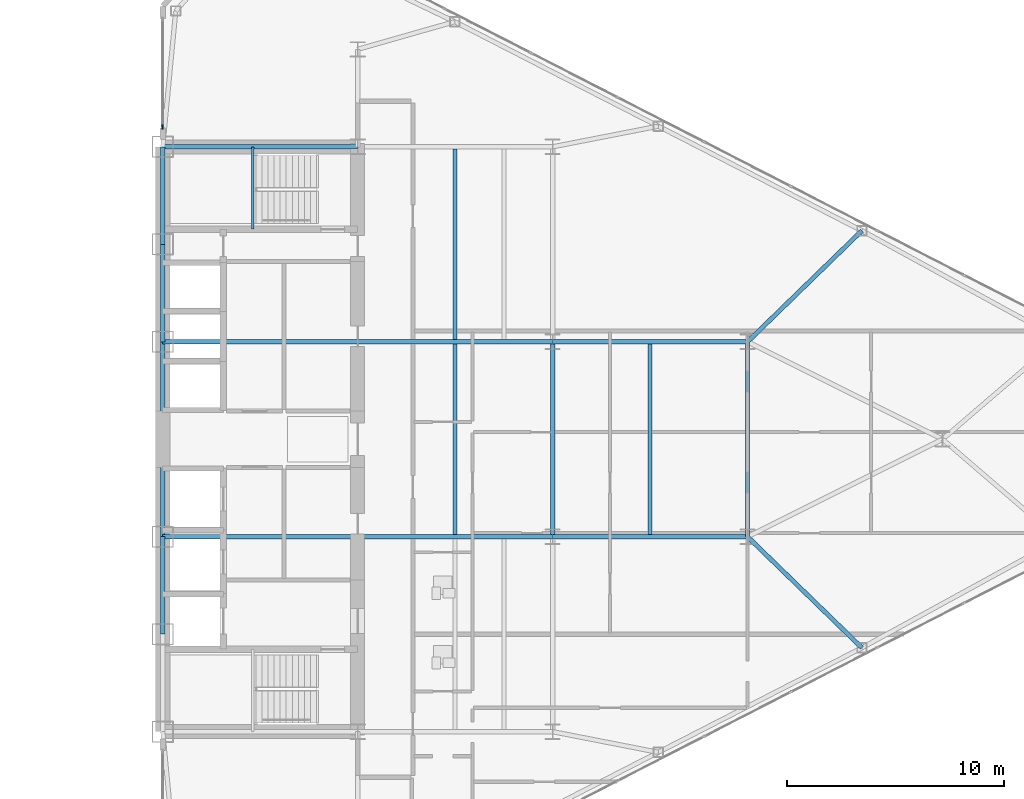
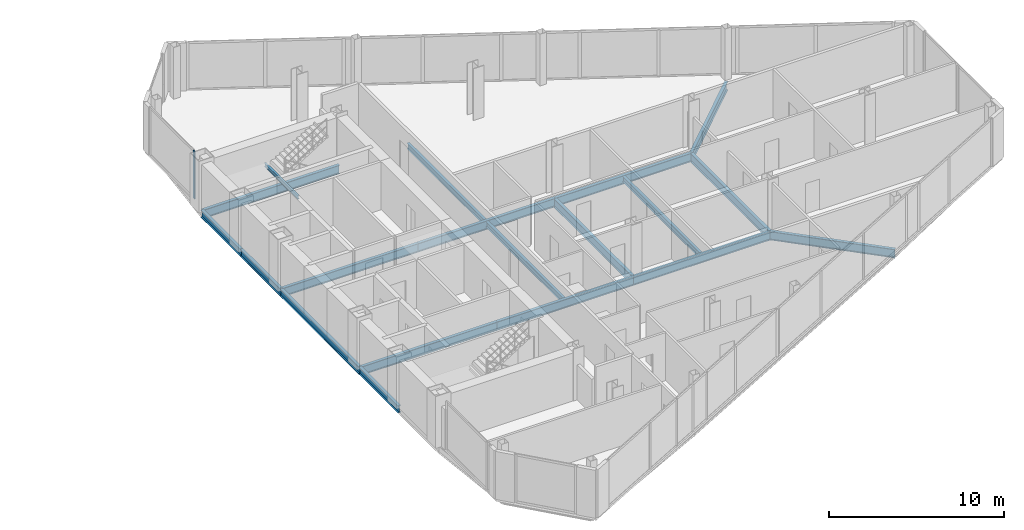
# One storey, part 10 of 23: 19 beams, 1 member, 1 element without a shape of its own.
"""IFC4 building model written with IfcOpenShell, lengths in metres."""

from ifc_helpers import new_model, si_unit, direction, frame, origin, origin_2d, place, context, subcontext, project, spatial, rectangle, i_section, extrude, source, transform, mapped, material, layer, layer_set, material_profile, profile_set, type_object, type_shapes, element, aggregate, save


model = new_model("IFC4")

# Units and contexts
model_context = context("Model", 3, precision=1e-05, world=origin(), true_north=direction((0.0, 1.0)))
body_context = subcontext(model_context, "Body", "Model", "MODEL_VIEW")
ifc_project = project(units=[si_unit("LENGTHUNIT", "METRE"), si_unit("AREAUNIT", "SQUARE_METRE"), si_unit("VOLUMEUNIT", "CUBIC_METRE"), si_unit("PLANEANGLEUNIT", "RADIAN"), si_unit("MASSUNIT", "GRAM", prefix="KILO")], contexts=[model_context])

# Site, building, storey
site_placement = place(None, origin())
site = spatial("IfcSite", under=ifc_project, at=site_placement, CompositionType="ELEMENT")
building_placement = place(site_placement, origin())
building = spatial("IfcBuilding", under=site, at=building_placement, Name="Seokmaru Belvedere", CompositionType="ELEMENT")
storey_placement = place(building_placement, frame((0.0, 0.0, 132.0)))
storey = spatial("IfcBuildingStorey", under=building, at=storey_placement, Name="L35", CompositionType="ELEMENT", Elevation=132.0)

# Beams
ifc_material_1 = material(Name="Steel SM355 (355 MPa)", Category="steel")
ifc_material_profile_1 = material_profile(ifc_material_1, i_section(OverallWidth=0.199951171875, OverallDepth=0.5, WebThickness=0.010009765625, FlangeThickness=0.01611328125, at=origin_2d()), Name="H-500x200x10x16")
ifc_profile_set_1 = profile_set([ifc_material_profile_1], Name="Steel SM355 (355 MPa)")
beam_type_1 = type_object("IfcBeamType", Name="Perimeter Spandrel Beam H-500", PredefinedType="SPANDREL", material=ifc_profile_set_1)
shared_shape_1 = source(origin(), body_context, "Body", "SweptSolid", [
    extrude(i_section(OverallWidth=0.199951171875, OverallDepth=0.5, WebThickness=0.010009765625, FlangeThickness=0.01611328125, at=origin_2d()), origin(), (0.0, 0.0, 1.0), 4.5),
])
for number, where, z_axis, x_axis, name in (
    (1, (27.5, -9.0, -0.469970703125), (0.0, 1.0, 0.0), (-1.0, 0.0, 0.0), "L35 E Portal Spine Spandrel 2"),
    (2, (27.5, 4.5, -0.469970703125), (0.0, 1.0, 0.0), (-1.0, 0.0, 0.0), "L35 E Portal Spine Spandrel 4"),
    (3, (27.5, 9.0, -0.469970703125), (0.0, 1.0, 0.0), (-1.0, 0.0, 0.0), "L35 E Portal Spine Spandrel 5"),
):
    element("IfcBeam", number, at=place(storey_placement, frame(where, z_axis=z_axis, x_axis=x_axis)), inside=storey, type_object=beam_type_1, Name=name, PredefinedType="SPANDREL", context=body_context, shape_type="MappedRepresentation", body=[
        mapped(shared_shape_1, transform((0.0, 0.0, 0.0), scale=1.0)),
    ])
shared_shape_2 = source(origin(), body_context, "Body", "SweptSolid", [
    extrude(i_section(OverallWidth=0.199951171875, OverallDepth=0.5, WebThickness=0.010009765625, FlangeThickness=0.01611328125, at=origin_2d()), origin(), (0.0, 0.0, 1.0), 9.0),
])
type_shapes(beam_type_1, [shared_shape_1, shared_shape_2])
beam_1_placement = place(storey_placement, frame((27.5, -4.5, -0.469970703125), z_axis=(0.0, 1.0, 0.0), x_axis=(-1.0, 0.0, 0.0)))
element("IfcBeam", 4, at=beam_1_placement, inside=storey, type_object=beam_type_1, Name="L35 E Portal Spine Spandrel 3", PredefinedType="SPANDREL", context=body_context, shape_type="MappedRepresentation", body=[
    mapped(shared_shape_2, transform((0.0, 0.0, 0.0), scale=1.0)),
])
ifc_material_profile_2 = material_profile(ifc_material_1, i_section(OverallWidth=0.199951171875, OverallDepth=0.60009765625, WebThickness=0.010986328125, FlangeThickness=0.01708984375, at=origin_2d()), Name="H-600x200x11x17")
ifc_profile_set_2 = profile_set([ifc_material_profile_2], Name="Steel SM355 (355 MPa)")
beam_type_2 = type_object("IfcBeamType", Name="Primary Floor Girder H-600", PredefinedType="BEAM", material=ifc_profile_set_2)
shared_shape_3 = source(origin(), body_context, "Body", "SweptSolid", [
    extrude(i_section(OverallWidth=0.199951171875, OverallDepth=0.60009765625, WebThickness=0.010986328125, FlangeThickness=0.01708984375, at=origin_2d()), origin(), (0.0, 0.0, 1.0), 9.0),
])
for number, where, z_axis, x_axis, name in (
    (5, (45.5, -4.5, -0.52001953125), (0.0, 1.0, 0.0), (-1.0, 0.0, 0.0), "L35 E Interior Grid Girder 2"),
    (6, (27.5, -4.5, -0.52001953125), (1.0, 0.0, 0.0), (0.0, 1.0, 0.0), "L35 E Core Tie Girder 2"),
    (7, (36.5, -4.5, -0.52001953125), (1.0, 0.0, 0.0), (0.0, 1.0, 0.0), "L35 E Wing Primary Girder 2"),
    (8, (27.5, 4.5, -0.52001953125), (1.0, 0.0, 0.0), (0.0, 1.0, 0.0), "L35 E Core Tie Girder 3"),
    (9, (36.5, 4.5, -0.52001953125), (1.0, 0.0, 0.0), (0.0, 1.0, 0.0), "L35 E Wing Primary Girder 3"),
    (10, (27.5, 13.5, -0.52001953125), (1.0, 0.0, 0.0), (0.0, 1.0, 0.0), "L35 E Core Tie Girder 4"),
    (11, (45.5, -4.5, -0.52001953125), (1.0, 0.0, 0.0), (0.0, 1.0, 0.0), "L35 E Outer Wing Girder 1"),
    (12, (45.5, 4.5, -0.52001953125), (1.0, 0.0, 0.0), (0.0, 1.0, 0.0), "L35 E Outer Wing Girder 2"),
    (13, (54.5, -4.5, -0.52001953125), (0.0, 1.0, 0.0), (-1.0, 0.0, 0.0), "L35 E Apex Frame Girder"),
):
    element("IfcBeam", number, at=place(storey_placement, frame(where, z_axis=z_axis, x_axis=x_axis)), inside=storey, type_object=beam_type_2, Name=name, PredefinedType="BEAM", context=body_context, shape_type="MappedRepresentation", body=[
        mapped(shared_shape_3, transform((0.0, 0.0, 0.0), scale=1.0)),
    ])
ifc_material_profile_3 = material_profile(ifc_material_1, i_section(OverallWidth=0.18505859375, OverallDepth=0.389892578125, WebThickness=0.008056640625, FlangeThickness=0.011962890625, at=origin_2d()), Name="H-390x185x8x12")
ifc_profile_set_3 = profile_set([ifc_material_profile_3], Name="Steel SM355 (355 MPa)")
beam_type_3 = type_object("IfcBeamType", Name="Secondary Floor Joist H-350", PredefinedType="JOIST", material=ifc_profile_set_3)
shared_shape_4 = source(origin(), body_context, "Body", "SweptSolid", [
    extrude(i_section(OverallWidth=0.18505859375, OverallDepth=0.389892578125, WebThickness=0.008056640625, FlangeThickness=0.011962890625, at=origin_2d()), origin(), (0.0, 0.0, 1.0), 8.7900390625),
])
type_shapes(beam_type_3, [shared_shape_4])
for number, where, z_axis, x_axis, name in (
    (14, (41.0, -4.39501953125, -0.4150390625), (0.0, 1.0, 0.0), (-1.0, 0.0, 0.0), "L35 E Secondary Floor Joist 2"),
    (15, (41.0, 4.60498046875, -0.4150390625), (0.0, 1.0, 0.0), (-1.0, 0.0, 0.0), "L35 E Secondary Floor Joist 3"),
    (16, (50.0, -4.39501953125, -0.4150390625), (0.0, 1.0, 0.0), (-1.0, 0.0, 0.0), "L35 E Outer Bay Secondary Joist"),
):
    element("IfcBeam", number, at=place(storey_placement, frame(where, z_axis=z_axis, x_axis=x_axis)), inside=storey, type_object=beam_type_3, Name=name, PredefinedType="JOIST", context=body_context, shape_type="MappedRepresentation", body=[
        mapped(shared_shape_4, transform((0.0, 0.0, 0.0), scale=1.0)),
    ])
shared_shape_5 = source(origin(), body_context, "Body", "SweptSolid", [
    extrude(i_section(OverallWidth=0.199951171875, OverallDepth=0.60009765625, WebThickness=0.010986328125, FlangeThickness=0.01708984375, at=origin_2d()), origin(), (0.0, 0.0, 1.0), 7.35986328125),
])
type_shapes(beam_type_2, [shared_shape_3, shared_shape_5])
for number, where, z_axis, x_axis, name in (
    (17, (59.778564453125, -9.62890625, -0.52001953125), (-0.717200745515, 0.696866623273, 0.0), (-0.696866623273, -0.717200745515, 0.0), "L35 E Flank Radial Floor Girder S-3"),
    (18, (59.778564453125, 9.62890625, -0.52001953125), (-0.717200745515, -0.696866623273, 0.0), (0.696866623273, -0.717200745515, 0.0), "L35 E Flank Radial Floor Girder N-3"),
):
    element("IfcBeam", number, at=place(storey_placement, frame(where, z_axis=z_axis, x_axis=x_axis)), inside=storey, type_object=beam_type_2, Name=name, PredefinedType="BEAM", context=body_context, shape_type="MappedRepresentation", body=[
        mapped(shared_shape_5, transform((0.0, 0.0, 0.0), scale=1.0)),
    ])

# Curtain wall, member
ifc_material_2 = material(Name="Bronze Triple Insulating Glass", Category="glass")
ifc_layer = layer(ifc_material_2, 0.195068359375)
ifc_layer_set = layer_set([ifc_layer], Name="Bronze Triple Insulating Glass")
curtain_wall_type = type_object("IfcCurtainWallType", Name="Sky-Lobby and Mid-Rise Curtain Wall System CW-4", PredefinedType="NOTDEFINED", material=ifc_layer_set)
curtain_wall_placement = place(storey_placement, origin())
curtain_wall = element("IfcCurtainWall", 19, at=curtain_wall_placement, inside=storey, type_object=curtain_wall_type, Name="L35 Curtain Wall ESP_2", PredefinedType="NOTDEFINED")
ifc_material_3 = material(Name="Anodised Bronze Aluminium", Category="aluminium")
ifc_material_profile_4 = material_profile(ifc_material_3, rectangle(XDim=0.070068359375, YDim=0.195068359375, at=origin_2d()), Name="CW-M-70x195")
ifc_profile_set_4 = profile_set([ifc_material_profile_4], Name="Anodised Bronze Aluminium")
member_type = type_object("IfcMemberType", Name="Bronze Unitised Mullion 70x195", PredefinedType="MULLION", material=ifc_profile_set_4)
shared_shape_6 = source(origin(), body_context, "Body", "SweptSolid", [
    extrude(rectangle(XDim=0.070068359375, YDim=0.195068359375, at=origin_2d()), origin(), (0.0, 0.0, 1.0), 3.340087890625),
])
type_shapes(member_type, [shared_shape_6])
member_placement = place(storey_placement, frame((27.5, 14.4150390625, 0.0), z_axis=(0.0, 0.0, 1.0), x_axis=(1.0, 0.0, 0.0)))
member = element("IfcMember", 20, at=member_placement, type_object=member_type, Name="CW:L35:ESP_2 Mullion 2", PredefinedType="MULLION", context=body_context, shape_type="MappedRepresentation", body=[
    mapped(shared_shape_6, transform((0.0, 0.0, 0.0), scale=1.0)),
])
aggregate(curtain_wall, [member])

# Beam
ifc_material_profile_5 = material_profile(ifc_material_1, i_section(OverallWidth=0.125, OverallDepth=0.25, WebThickness=0.006103515625, FlangeThickness=0.009033203125, at=origin_2d()), Name="H-250x125x6x9")
ifc_profile_set_5 = profile_set([ifc_material_profile_5], Name="Steel SM355 (355 MPa)")
beam_type_4 = type_object("IfcBeamType", Name="Stair Mid-Landing Support Beam H-250", PredefinedType="JOIST", material=ifc_profile_set_5)
shared_shape_7 = source(origin(), body_context, "Body", "SweptSolid", [
    extrude(i_section(OverallWidth=0.125, OverallDepth=0.25, WebThickness=0.006103515625, FlangeThickness=0.009033203125, at=origin_2d()), origin(), (0.0, 0.0, 1.0), 3.800048828125),
])
type_shapes(beam_type_4, [shared_shape_7])
beam_2_placement = place(storey_placement, frame((31.64990234375, 9.699951171875, 1.47509765625), z_axis=(0.0, 1.0, 0.0), x_axis=(-1.0, 0.0, 0.0)))
element("IfcBeam", 21, at=beam_2_placement, inside=storey, type_object=beam_type_4, Name="L35 Stair ST-E2 Mid-Landing Support Beam 1", PredefinedType="JOIST", context=body_context, shape_type="MappedRepresentation", body=[
    mapped(shared_shape_7, transform((0.0, 0.0, 0.0), scale=1.0)),
])

save(model, "model.ifc")
